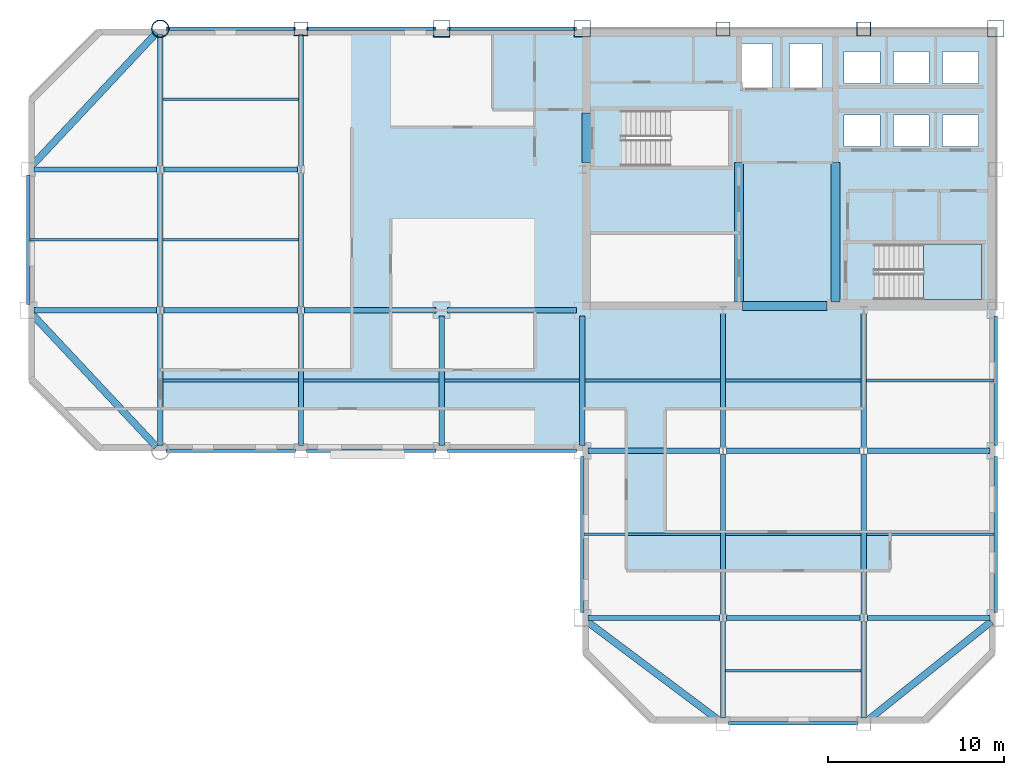
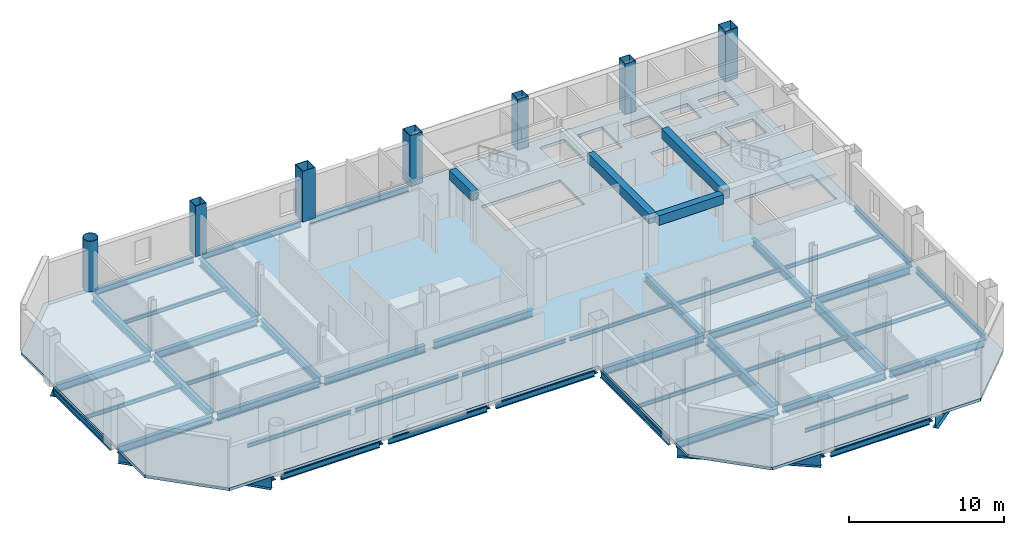
# One storey, part 3 of 10: 58 beams, 7 columns, 2 slabs, 1 element without a shape of its own.
"""IFC4 building model written with IfcOpenShell, lengths in metres."""

from ifc_helpers import new_model, si_unit, direction, frame, origin, origin_2d, place, context, subcontext, project, spatial, polyline, rectangle, hollow_rectangle, hollow_circle, i_section, outline, extrude, material, layer, layer_set, material_profile, profile_set, type_object, element, aggregate, save


model = new_model("IFC4")

# Units and contexts
model_context = context("Model", 3, precision=1e-05, world=origin(), true_north=direction((0.0, 1.0)))
body_context = subcontext(model_context, "Body", "Model", "MODEL_VIEW")
ifc_project = project(units=[si_unit("LENGTHUNIT", "METRE"), si_unit("AREAUNIT", "SQUARE_METRE"), si_unit("VOLUMEUNIT", "CUBIC_METRE"), si_unit("PLANEANGLEUNIT", "RADIAN"), si_unit("MASSUNIT", "GRAM", prefix="KILO")], contexts=[model_context])

# Site, building, storey
site_placement = place(None, origin())
site = spatial("IfcSite", under=ifc_project, at=site_placement, CompositionType="ELEMENT")
building_placement = place(site_placement, origin())
building = spatial("IfcBuilding", under=site, at=building_placement, Name="Qianrong Seaharbour Tower", CompositionType="ELEMENT")
storey_placement = place(building_placement, frame((0.0, 0.0, 225.800048828125)))
storey = spatial("IfcBuildingStorey", under=building, at=storey_placement, Name="L54", CompositionType="ELEMENT", Elevation=225.800048828125)

# Columns
ifc_material_1 = material(Name="Structural steel SN490B", Category="steel")
ifc_material_profile_1 = material_profile(ifc_material_1, hollow_rectangle(XDim=0.949951171875, YDim=0.949951171875, WallThickness=0.035888671875, at=origin_2d()), Name="BOX950x950x36")
ifc_profile_set_1 = profile_set([ifc_material_profile_1], Name="Structural steel SN490B")
column_type_1 = type_object("IfcColumnType", Name="COL-CFT-950", PredefinedType="COLUMN", material=ifc_profile_set_1)
for number, where, z_axis, x_axis, name in (
    (1, (32.5, 52.0, 0.0), (0.0, 0.0, 1.0), (1.0, 0.0, 0.0), "L54 Column MC-4 at G5/GH"),
    (2, (40.5, 52.0, 0.0), (0.0, 0.0, 1.0), (1.0, 0.0, 0.0), "L54 Column MC-4 at G6/GH"),
    (3, (64.0, 52.0, 0.0), (0.0, 0.0, 1.0), (1.0, 0.0, 0.0), "L54 Column MC-4 at G9/GH"),
):
    element("IfcColumn", number, at=place(storey_placement, frame(where, z_axis=z_axis, x_axis=x_axis)), inside=storey, type_object=column_type_1, Name=name, PredefinedType="COLUMN", context=body_context, shape_type="SweptSolid", body=[
        extrude(hollow_rectangle(XDim=0.949951171875, YDim=0.949951171875, WallThickness=0.035888671875, at=origin_2d()), origin(), (0.0, 0.0, 1.0), 4.0),
    ])
ifc_material_profile_2 = material_profile(ifc_material_1, hollow_circle(Radius=0.5, WallThickness=0.035888671875, at=origin_2d()), Name="CHS1000x36")
ifc_profile_set_2 = profile_set([ifc_material_profile_2], Name="Structural steel SN490B")
column_type_2 = type_object("IfcColumnType", Name="COL-CHS-1000", PredefinedType="COLUMN", material=ifc_profile_set_2)
column_placement = place(storey_placement, frame((16.5, 52.0, 0.0), z_axis=(0.0, 0.0, 1.0), x_axis=(1.0, 0.0, 0.0)))
element("IfcColumn", 4, at=column_placement, inside=storey, type_object=column_type_2, Name="L54 Column CC-2 at G3/GH", PredefinedType="COLUMN", context=body_context, shape_type="SweptSolid", body=[
    extrude(hollow_circle(Radius=0.5, WallThickness=0.035888671875, at=origin_2d()), origin(), (0.0, 0.0, 1.0), 4.0),
])
ifc_material_profile_3 = material_profile(ifc_material_1, hollow_rectangle(XDim=0.800048828125, YDim=0.800048828125, WallThickness=0.031982421875, at=origin_2d()), Name="BOX800x800x32")
ifc_profile_set_3 = profile_set([ifc_material_profile_3], Name="Structural steel SN490B")
column_type_3 = type_object("IfcColumnType", Name="COL-PER-800", PredefinedType="COLUMN", material=ifc_profile_set_3)
for number, where, z_axis, x_axis, name in (
    (5, (24.5, 52.0, 0.0), (0.0, 0.0, 1.0), (1.0, 0.0, 0.0), "L54 Column PC-3 at G4/GH"),
    (6, (48.5, 52.0, 0.0), (0.0, 0.0, 1.0), (1.0, 0.0, 0.0), "L54 Column PC-3 at G7/GH"),
    (7, (56.5, 52.0, 0.0), (0.0, 0.0, 1.0), (1.0, 0.0, 0.0), "L54 Column PC-3 at G8/GH"),
):
    element("IfcColumn", number, at=place(storey_placement, frame(where, z_axis=z_axis, x_axis=x_axis)), inside=storey, type_object=column_type_3, Name=name, PredefinedType="COLUMN", context=body_context, shape_type="SweptSolid", body=[
        extrude(hollow_rectangle(XDim=0.800048828125, YDim=0.800048828125, WallThickness=0.031982421875, at=origin_2d()), origin(), (0.0, 0.0, 1.0), 4.0),
    ])

# Beams
ifc_material_profile_4 = material_profile(ifc_material_1, i_section(OverallWidth=0.300048828125, OverallDepth=0.587890625, WebThickness=0.011962890625, FlangeThickness=0.02001953125, FilletRadius=0.02392578125, at=origin_2d()), Name="H588x300x12x20")
ifc_profile_set_4 = profile_set([ifc_material_profile_4], Name="Structural steel SN490B")
beam_type_1 = type_object("IfcBeamType", Name="BM-G-588", PredefinedType="BEAM", material=ifc_profile_set_4)
beam_1_placement = place(storey_placement, frame((40.820068359375, 18.5, -0.51904296875), z_axis=(1.0, 0.0, 0.0), x_axis=(0.0, 1.0, 0.0)))
element("IfcBeam", 8, at=beam_1_placement, inside=storey, type_object=beam_type_1, Name="L54 Primary Girder GD G6-G7", PredefinedType="BEAM", context=body_context, shape_type="SweptSolid", body=[
    extrude(i_section(OverallWidth=0.300048828125, OverallDepth=0.587890625, WebThickness=0.011962890625, FlangeThickness=0.02001953125, FilletRadius=0.02392578125, at=origin_2d()), origin(), (0.0, 0.0, 1.0), 7.47998046875),
])
beam_2_placement = place(storey_placement, frame((48.699951171875, 18.5, -0.51904296875), z_axis=(1.0, 0.0, 0.0), x_axis=(0.0, 1.0, 0.0)))
element("IfcBeam", 9, at=beam_2_placement, inside=storey, type_object=beam_type_1, Name="L54 Primary Girder GD G7-G8", PredefinedType="BEAM", context=body_context, shape_type="SweptSolid", body=[
    extrude(i_section(OverallWidth=0.300048828125, OverallDepth=0.587890625, WebThickness=0.011962890625, FlangeThickness=0.02001953125, FilletRadius=0.02392578125, at=origin_2d()), origin(), (0.0, 0.0, 1.0), 7.60009765625),
])
beam_3_placement = place(storey_placement, frame((56.699951171875, 18.5, -0.51904296875), z_axis=(1.0, 0.0, 0.0), x_axis=(0.0, 1.0, 0.0)))
element("IfcBeam", 10, at=beam_3_placement, inside=storey, type_object=beam_type_1, Name="L54 Primary Girder GD G8-G9", PredefinedType="BEAM", context=body_context, shape_type="SweptSolid", body=[
    extrude(i_section(OverallWidth=0.300048828125, OverallDepth=0.587890625, WebThickness=0.011962890625, FlangeThickness=0.02001953125, FilletRadius=0.02392578125, at=origin_2d()), origin(), (0.0, 0.0, 1.0), 6.97998046875),
])
beam_4_placement = place(storey_placement, frame((40.820068359375, 28.0, -0.51904296875), z_axis=(1.0, 0.0, 0.0), x_axis=(0.0, 1.0, 0.0)))
element("IfcBeam", 11, at=beam_4_placement, inside=storey, type_object=beam_type_1, Name="L54 Primary Girder GE G6-G7", PredefinedType="BEAM", context=body_context, shape_type="SweptSolid", body=[
    extrude(i_section(OverallWidth=0.300048828125, OverallDepth=0.587890625, WebThickness=0.011962890625, FlangeThickness=0.02001953125, FilletRadius=0.02392578125, at=origin_2d()), origin(), (0.0, 0.0, 1.0), 7.47998046875),
])
beam_5_placement = place(storey_placement, frame((48.699951171875, 28.0, -0.51904296875), z_axis=(1.0, 0.0, 0.0), x_axis=(0.0, 1.0, 0.0)))
element("IfcBeam", 12, at=beam_5_placement, inside=storey, type_object=beam_type_1, Name="L54 Primary Girder GE G7-G8", PredefinedType="BEAM", context=body_context, shape_type="SweptSolid", body=[
    extrude(i_section(OverallWidth=0.300048828125, OverallDepth=0.587890625, WebThickness=0.011962890625, FlangeThickness=0.02001953125, FilletRadius=0.02392578125, at=origin_2d()), origin(), (0.0, 0.0, 1.0), 7.60009765625),
])
for number, where, z_axis, x_axis, name in (
    (13, (56.699951171875, 28.0, -0.51904296875), (1.0, 0.0, 0.0), (0.0, 1.0, 0.0), "L54 Primary Girder GE G8-G9"),
    (14, (9.320068359375, 36.0, -0.51904296875), (1.0, 0.0, 0.0), (0.0, 1.0, 0.0), "L54 Primary Girder GF G2-G3"),
):
    element("IfcBeam", number, at=place(storey_placement, frame(where, z_axis=z_axis, x_axis=x_axis)), inside=storey, type_object=beam_type_1, Name=name, PredefinedType="BEAM", context=body_context, shape_type="SweptSolid", body=[
        extrude(i_section(OverallWidth=0.300048828125, OverallDepth=0.587890625, WebThickness=0.011962890625, FlangeThickness=0.02001953125, FilletRadius=0.02392578125, at=origin_2d()), origin(), (0.0, 0.0, 1.0), 6.97998046875),
    ])
beam_6_placement = place(storey_placement, frame((16.699951171875, 36.0, -0.51904296875), z_axis=(1.0, 0.0, 0.0), x_axis=(0.0, 1.0, 0.0)))
element("IfcBeam", 15, at=beam_6_placement, inside=storey, type_object=beam_type_1, Name="L54 Primary Girder GF G3-G4", PredefinedType="BEAM", context=body_context, shape_type="SweptSolid", body=[
    extrude(i_section(OverallWidth=0.300048828125, OverallDepth=0.587890625, WebThickness=0.011962890625, FlangeThickness=0.02001953125, FilletRadius=0.02392578125, at=origin_2d()), origin(), (0.0, 0.0, 1.0), 7.60009765625),
])
beam_7_placement = place(storey_placement, frame((24.699951171875, 36.0, -0.51904296875), z_axis=(1.0, 0.0, 0.0), x_axis=(0.0, 1.0, 0.0)))
element("IfcBeam", 16, at=beam_7_placement, inside=storey, type_object=beam_type_1, Name="L54 Primary Girder GF G4-G5", PredefinedType="BEAM", context=body_context, shape_type="SweptSolid", body=[
    extrude(i_section(OverallWidth=0.300048828125, OverallDepth=0.587890625, WebThickness=0.011962890625, FlangeThickness=0.02001953125, FilletRadius=0.02392578125, at=origin_2d()), origin(), (0.0, 0.0, 1.0), 7.47998046875),
])
beam_8_placement = place(storey_placement, frame((32.820068359375, 36.0, -0.51904296875), z_axis=(1.0, 0.0, 0.0), x_axis=(0.0, 1.0, 0.0)))
element("IfcBeam", 17, at=beam_8_placement, inside=storey, type_object=beam_type_1, Name="L54 Primary Girder GF G5-G6", PredefinedType="BEAM", context=body_context, shape_type="SweptSolid", body=[
    extrude(i_section(OverallWidth=0.300048828125, OverallDepth=0.587890625, WebThickness=0.011962890625, FlangeThickness=0.02001953125, FilletRadius=0.02392578125, at=origin_2d()), origin(), (0.0, 0.0, 1.0), 7.35986328125),
])
beam_9_placement = place(storey_placement, frame((9.320068359375, 44.0, -0.51904296875), z_axis=(1.0, 0.0, 0.0), x_axis=(0.0, 1.0, 0.0)))
element("IfcBeam", 18, at=beam_9_placement, inside=storey, type_object=beam_type_1, Name="L54 Primary Girder GG G2-G3", PredefinedType="BEAM", context=body_context, shape_type="SweptSolid", body=[
    extrude(i_section(OverallWidth=0.300048828125, OverallDepth=0.587890625, WebThickness=0.011962890625, FlangeThickness=0.02001953125, FilletRadius=0.02392578125, at=origin_2d()), origin(), (0.0, 0.0, 1.0), 6.97998046875),
])
beam_10_placement = place(storey_placement, frame((16.699951171875, 44.0, -0.51904296875), z_axis=(1.0, 0.0, 0.0), x_axis=(0.0, 1.0, 0.0)))
element("IfcBeam", 19, at=beam_10_placement, inside=storey, type_object=beam_type_1, Name="L54 Primary Girder GG G3-G4", PredefinedType="BEAM", context=body_context, shape_type="SweptSolid", body=[
    extrude(i_section(OverallWidth=0.300048828125, OverallDepth=0.587890625, WebThickness=0.011962890625, FlangeThickness=0.02001953125, FilletRadius=0.02392578125, at=origin_2d()), origin(), (0.0, 0.0, 1.0), 7.60009765625),
])
beam_11_placement = place(storey_placement, frame((16.5, 28.320068359375, -0.51904296875), z_axis=(0.0, 1.0, 0.0), x_axis=(-1.0, 0.0, 0.0)))
element("IfcBeam", 20, at=beam_11_placement, inside=storey, type_object=beam_type_1, Name="L54 Primary Girder G3 GE-GF", PredefinedType="BEAM", context=body_context, shape_type="SweptSolid", body=[
    extrude(i_section(OverallWidth=0.300048828125, OverallDepth=0.587890625, WebThickness=0.011962890625, FlangeThickness=0.02001953125, FilletRadius=0.02392578125, at=origin_2d()), origin(), (0.0, 0.0, 1.0), 7.47998046875),
])
beam_12_placement = place(storey_placement, frame((16.5, 36.199951171875, -0.51904296875), z_axis=(0.0, 1.0, 0.0), x_axis=(-1.0, 0.0, 0.0)))
element("IfcBeam", 21, at=beam_12_placement, inside=storey, type_object=beam_type_1, Name="L54 Primary Girder G3 GF-GG", PredefinedType="BEAM", context=body_context, shape_type="SweptSolid", body=[
    extrude(i_section(OverallWidth=0.300048828125, OverallDepth=0.587890625, WebThickness=0.011962890625, FlangeThickness=0.02001953125, FilletRadius=0.02392578125, at=origin_2d()), origin(), (0.0, 0.0, 1.0), 7.60009765625),
])
for number, where, z_axis, x_axis, name in (
    (22, (16.5, 44.199951171875, -0.51904296875), (0.0, 1.0, 0.0), (-1.0, 0.0, 0.0), "L54 Primary Girder G3 GG-GH"),
    (23, (24.5, 28.320068359375, -0.51904296875), (0.0, 1.0, 0.0), (-1.0, 0.0, 0.0), "L54 Primary Girder G4 GE-GF"),
):
    element("IfcBeam", number, at=place(storey_placement, frame(where, z_axis=z_axis, x_axis=x_axis)), inside=storey, type_object=beam_type_1, Name=name, PredefinedType="BEAM", context=body_context, shape_type="SweptSolid", body=[
        extrude(i_section(OverallWidth=0.300048828125, OverallDepth=0.587890625, WebThickness=0.011962890625, FlangeThickness=0.02001953125, FilletRadius=0.02392578125, at=origin_2d()), origin(), (0.0, 0.0, 1.0), 7.47998046875),
    ])
beam_13_placement = place(storey_placement, frame((24.5, 36.199951171875, -0.51904296875), z_axis=(0.0, 1.0, 0.0), x_axis=(-1.0, 0.0, 0.0)))
element("IfcBeam", 24, at=beam_13_placement, inside=storey, type_object=beam_type_1, Name="L54 Primary Girder G4 GF-GG", PredefinedType="BEAM", context=body_context, shape_type="SweptSolid", body=[
    extrude(i_section(OverallWidth=0.300048828125, OverallDepth=0.587890625, WebThickness=0.011962890625, FlangeThickness=0.02001953125, FilletRadius=0.02392578125, at=origin_2d()), origin(), (0.0, 0.0, 1.0), 7.60009765625),
])
beam_14_placement = place(storey_placement, frame((24.5, 44.199951171875, -0.51904296875), z_axis=(0.0, 1.0, 0.0), x_axis=(-1.0, 0.0, 0.0)))
element("IfcBeam", 25, at=beam_14_placement, inside=storey, type_object=beam_type_1, Name="L54 Primary Girder G4 GG-GH", PredefinedType="BEAM", context=body_context, shape_type="SweptSolid", body=[
    extrude(i_section(OverallWidth=0.300048828125, OverallDepth=0.587890625, WebThickness=0.011962890625, FlangeThickness=0.02001953125, FilletRadius=0.02392578125, at=origin_2d()), origin(), (0.0, 0.0, 1.0), 7.47998046875),
])
for number, where, z_axis, x_axis, name in (
    (26, (32.5, 28.320068359375, -0.51904296875), (0.0, 1.0, 0.0), (-1.0, 0.0, 0.0), "L54 Primary Girder G5 GE-GF"),
    (27, (40.5, 28.320068359375, -0.51904296875), (0.0, 1.0, 0.0), (-1.0, 0.0, 0.0), "L54 Primary Girder G6 GE-GF"),
):
    element("IfcBeam", number, at=place(storey_placement, frame(where, z_axis=z_axis, x_axis=x_axis)), inside=storey, type_object=beam_type_1, Name=name, PredefinedType="BEAM", context=body_context, shape_type="SweptSolid", body=[
        extrude(i_section(OverallWidth=0.300048828125, OverallDepth=0.587890625, WebThickness=0.011962890625, FlangeThickness=0.02001953125, FilletRadius=0.02392578125, at=origin_2d()), origin(), (0.0, 0.0, 1.0), 7.35986328125),
    ])
beam_15_placement = place(storey_placement, frame((48.5, 12.820068359375, -0.51904296875), z_axis=(0.0, 1.0, 0.0), x_axis=(-1.0, 0.0, 0.0)))
element("IfcBeam", 28, at=beam_15_placement, inside=storey, type_object=beam_type_1, Name="L54 Primary Girder G7 GC-GD", PredefinedType="BEAM", context=body_context, shape_type="SweptSolid", body=[
    extrude(i_section(OverallWidth=0.300048828125, OverallDepth=0.587890625, WebThickness=0.011962890625, FlangeThickness=0.02001953125, FilletRadius=0.02392578125, at=origin_2d()), origin(), (0.0, 0.0, 1.0), 5.47998046875),
])
beam_16_placement = place(storey_placement, frame((48.5, 28.199951171875, -0.51904296875), z_axis=(0.0, 1.0, 0.0), x_axis=(-1.0, 0.0, 0.0)))
element("IfcBeam", 29, at=beam_16_placement, inside=storey, type_object=beam_type_1, Name="L54 Primary Girder G7 GE-GF", PredefinedType="BEAM", context=body_context, shape_type="SweptSolid", body=[
    extrude(i_section(OverallWidth=0.300048828125, OverallDepth=0.587890625, WebThickness=0.011962890625, FlangeThickness=0.02001953125, FilletRadius=0.02392578125, at=origin_2d()), origin(), (0.0, 0.0, 1.0), 7.60009765625),
])
beam_17_placement = place(storey_placement, frame((56.5, 12.820068359375, -0.51904296875), z_axis=(0.0, 1.0, 0.0), x_axis=(-1.0, 0.0, 0.0)))
element("IfcBeam", 30, at=beam_17_placement, inside=storey, type_object=beam_type_1, Name="L54 Primary Girder G8 GC-GD", PredefinedType="BEAM", context=body_context, shape_type="SweptSolid", body=[
    extrude(i_section(OverallWidth=0.300048828125, OverallDepth=0.587890625, WebThickness=0.011962890625, FlangeThickness=0.02001953125, FilletRadius=0.02392578125, at=origin_2d()), origin(), (0.0, 0.0, 1.0), 5.47998046875),
])
beam_18_placement = place(storey_placement, frame((56.5, 28.199951171875, -0.51904296875), z_axis=(0.0, 1.0, 0.0), x_axis=(-1.0, 0.0, 0.0)))
element("IfcBeam", 31, at=beam_18_placement, inside=storey, type_object=beam_type_1, Name="L54 Primary Girder G8 GE-GF", PredefinedType="BEAM", context=body_context, shape_type="SweptSolid", body=[
    extrude(i_section(OverallWidth=0.300048828125, OverallDepth=0.587890625, WebThickness=0.011962890625, FlangeThickness=0.02001953125, FilletRadius=0.02392578125, at=origin_2d()), origin(), (0.0, 0.0, 1.0), 7.60009765625),
])
ifc_material_profile_5 = material_profile(ifc_material_1, i_section(OverallWidth=0.300048828125, OverallDepth=0.800048828125, WebThickness=0.013916015625, FlangeThickness=0.02587890625, FilletRadius=0.028076171875, at=origin_2d()), Name="H800x300x14x26")
ifc_profile_set_5 = profile_set([ifc_material_profile_5], Name="Structural steel SN490B")
beam_type_2 = type_object("IfcBeamType", Name="BM-G-800", PredefinedType="BEAM", material=ifc_profile_set_5)
for number, where, z_axis, x_axis, name in (
    (32, (48.5, 18.699951171875, -0.625), (0.0, 1.0, 0.0), (-1.0, 0.0, 0.0), "L54 Primary Girder G7 GD-GE"),
    (33, (56.5, 18.699951171875, -0.625), (0.0, 1.0, 0.0), (-1.0, 0.0, 0.0), "L54 Primary Girder G8 GD-GE"),
):
    element("IfcBeam", number, at=place(storey_placement, frame(where, z_axis=z_axis, x_axis=x_axis)), inside=storey, type_object=beam_type_2, Name=name, PredefinedType="BEAM", context=body_context, shape_type="SweptSolid", body=[
        extrude(i_section(OverallWidth=0.300048828125, OverallDepth=0.800048828125, WebThickness=0.013916015625, FlangeThickness=0.02587890625, FilletRadius=0.028076171875, at=origin_2d()), origin(), (0.0, 0.0, 1.0), 9.10009765625),
    ])
ifc_material_2 = material(Name="Structural steel SN400B", Category="steel")
ifc_material_profile_6 = material_profile(ifc_material_2, i_section(OverallWidth=0.14990234375, OverallDepth=0.300048828125, WebThickness=0.006591796875, FlangeThickness=0.009033203125, FilletRadius=0.012939453125, at=origin_2d()), Name="H300x150x6.5x9")
ifc_profile_set_6 = profile_set([ifc_material_profile_6], Name="Structural steel SN400B")
beam_type_3 = type_object("IfcBeamType", Name="BM-J-300", PredefinedType="JOIST", material=ifc_profile_set_6)
beam_19_placement = place(storey_placement, frame((9.10009765625, 40.0, -0.375), z_axis=(1.0, 0.0, 0.0), x_axis=(0.0, 1.0, 0.0)))
element("IfcBeam", 34, at=beam_19_placement, inside=storey, type_object=beam_type_3, Name="L54 Composite Floor Joist G2-G3/GF-GG", PredefinedType="JOIST", context=body_context, shape_type="SweptSolid", body=[
    extrude(i_section(OverallWidth=0.14990234375, OverallDepth=0.300048828125, WebThickness=0.006591796875, FlangeThickness=0.009033203125, FilletRadius=0.012939453125, at=origin_2d()), origin(), (0.0, 0.0, 1.0), 7.25),
])
for number, where, z_axis, x_axis, name in (
    (35, (16.64990234375, 32.0, -0.375), (1.0, 0.0, 0.0), (0.0, 1.0, 0.0), "L54 Composite Floor Joist G3-G4/GE-GF"),
    (36, (16.64990234375, 40.0, -0.375), (1.0, 0.0, 0.0), (0.0, 1.0, 0.0), "L54 Composite Floor Joist G3-G4/GF-GG"),
    (37, (16.64990234375, 48.0, -0.375), (1.0, 0.0, 0.0), (0.0, 1.0, 0.0), "L54 Composite Floor Joist G3-G4/GG-GH"),
    (38, (24.64990234375, 32.0, -0.375), (1.0, 0.0, 0.0), (0.0, 1.0, 0.0), "L54 Composite Floor Joist G4-G5/GE-GF"),
    (39, (32.64990234375, 32.0, -0.375), (1.0, 0.0, 0.0), (0.0, 1.0, 0.0), "L54 Composite Floor Joist G5-G6/GE-GF"),
):
    element("IfcBeam", number, at=place(storey_placement, frame(where, z_axis=z_axis, x_axis=x_axis)), inside=storey, type_object=beam_type_3, Name=name, PredefinedType="JOIST", context=body_context, shape_type="SweptSolid", body=[
        extrude(i_section(OverallWidth=0.14990234375, OverallDepth=0.300048828125, WebThickness=0.006591796875, FlangeThickness=0.009033203125, FilletRadius=0.012939453125, at=origin_2d()), origin(), (0.0, 0.0, 1.0), 7.7001953125),
    ])
beam_20_placement = place(storey_placement, frame((40.60009765625, 23.25, -0.375), z_axis=(1.0, 0.0, 0.0), x_axis=(0.0, 1.0, 0.0)))
element("IfcBeam", 40, at=beam_20_placement, inside=storey, type_object=beam_type_3, Name="L54 Composite Floor Joist G6-G7/GD-GE", PredefinedType="JOIST", context=body_context, shape_type="SweptSolid", body=[
    extrude(i_section(OverallWidth=0.14990234375, OverallDepth=0.300048828125, WebThickness=0.006591796875, FlangeThickness=0.009033203125, FilletRadius=0.012939453125, at=origin_2d()), origin(), (0.0, 0.0, 1.0), 7.75),
])
for number, where, z_axis, x_axis, name in (
    (41, (40.64990234375, 32.0, -0.375), (1.0, 0.0, 0.0), (0.0, 1.0, 0.0), "L54 Composite Floor Joist G6-G7/GE-GF"),
    (42, (48.64990234375, 15.5, -0.375), (1.0, 0.0, 0.0), (0.0, 1.0, 0.0), "L54 Composite Floor Joist G7-G8/GC-GD"),
    (43, (48.64990234375, 23.25, -0.375), (1.0, 0.0, 0.0), (0.0, 1.0, 0.0), "L54 Composite Floor Joist G7-G8/GD-GE"),
    (44, (48.64990234375, 32.0, -0.375), (1.0, 0.0, 0.0), (0.0, 1.0, 0.0), "L54 Composite Floor Joist G7-G8/GE-GF"),
):
    element("IfcBeam", number, at=place(storey_placement, frame(where, z_axis=z_axis, x_axis=x_axis)), inside=storey, type_object=beam_type_3, Name=name, PredefinedType="JOIST", context=body_context, shape_type="SweptSolid", body=[
        extrude(i_section(OverallWidth=0.14990234375, OverallDepth=0.300048828125, WebThickness=0.006591796875, FlangeThickness=0.009033203125, FilletRadius=0.012939453125, at=origin_2d()), origin(), (0.0, 0.0, 1.0), 7.7001953125),
    ])
for number, where, z_axis, x_axis, name in (
    (45, (56.64990234375, 23.25, -0.375), (1.0, 0.0, 0.0), (0.0, 1.0, 0.0), "L54 Composite Floor Joist G8-G9/GD-GE"),
    (46, (56.64990234375, 32.0, -0.375), (1.0, 0.0, 0.0), (0.0, 1.0, 0.0), "L54 Composite Floor Joist G8-G9/GE-GF"),
):
    element("IfcBeam", number, at=place(storey_placement, frame(where, z_axis=z_axis, x_axis=x_axis)), inside=storey, type_object=beam_type_3, Name=name, PredefinedType="JOIST", context=body_context, shape_type="SweptSolid", body=[
        extrude(i_section(OverallWidth=0.14990234375, OverallDepth=0.300048828125, WebThickness=0.006591796875, FlangeThickness=0.009033203125, FilletRadius=0.012939453125, at=origin_2d()), origin(), (0.0, 0.0, 1.0), 7.25),
    ])
ifc_material_3 = material(Name="Concrete C60/75", Category="concrete")
ifc_material_profile_7 = material_profile(ifc_material_3, rectangle(XDim=0.5, YDim=0.75, at=origin_2d()), Name="RC500x750")
ifc_profile_set_7 = profile_set([ifc_material_profile_7], Name="Concrete C60/75")
beam_type_4 = type_object("IfcBeamType", Name="BM-LINTEL-750", PredefinedType="LINTEL", material=ifc_profile_set_7)
beam_21_placement = place(storey_placement, frame((40.72998046875, 44.39990234375, 3.39990234375), z_axis=(0.0, 1.0, 0.0), x_axis=(-1.0, 0.0, 0.0)))
element("IfcBeam", 47, at=beam_21_placement, inside=storey, type_object=beam_type_4, Name="L54 Core Coupling Lintel Beam West", PredefinedType="LINTEL", context=body_context, shape_type="SweptSolid", body=[
    extrude(rectangle(XDim=0.5, YDim=0.75, at=origin_2d()), origin(), (0.0, 0.0, 1.0), 2.800048828125),
])
beam_22_placement = place(storey_placement, frame((49.60009765625, 36.22998046875, 3.39990234375), z_axis=(1.0, 0.0, 0.0), x_axis=(0.0, 1.0, 0.0)))
element("IfcBeam", 48, at=beam_22_placement, inside=storey, type_object=beam_type_4, Name="L54 Core Coupling Lintel Beam CBC", PredefinedType="LINTEL", context=body_context, shape_type="SweptSolid", body=[
    extrude(rectangle(XDim=0.5, YDim=0.75, at=origin_2d()), origin(), (0.0, 0.0, 1.0), 4.7998046875),
])
for number, where, z_axis, x_axis, name in (
    (49, (49.39990234375, 36.4599609375, 3.39990234375), (0.0, 1.0, 0.0), (-1.0, 0.0, 0.0), "L54 Internal Core Coupling Beam IW1"),
    (50, (54.89990234375, 36.4599609375, 3.39990234375), (0.0, 1.0, 0.0), (-1.0, 0.0, 0.0), "L54 Internal Core Coupling Beam IW2"),
):
    element("IfcBeam", number, at=place(storey_placement, frame(where, z_axis=z_axis, x_axis=x_axis)), inside=storey, type_object=beam_type_4, Name=name, PredefinedType="LINTEL", context=body_context, shape_type="SweptSolid", body=[
        extrude(rectangle(XDim=0.5, YDim=0.75, at=origin_2d()), origin(), (0.0, 0.0, 1.0), 7.93994140625),
    ])
ifc_material_profile_8 = material_profile(ifc_material_2, i_section(OverallWidth=0.199951171875, OverallDepth=0.449951171875, WebThickness=0.009033203125, FlangeThickness=0.013916015625, FilletRadius=0.01806640625, at=origin_2d()), Name="H450x200x9x14")
ifc_profile_set_8 = profile_set([ifc_material_profile_8], Name="Structural steel SN400B")
beam_type_5 = type_object("IfcBeamType", Name="BM-SP-450", PredefinedType="SPANDREL", material=ifc_profile_set_8)
for number, where, z_axis, x_axis, name in (
    (51, (48.820068359375, 12.5, -0.449951171875), (1.0, 0.0, 0.0), (0.0, 1.0, 0.0), "L54 Spandrel Girder GC G7-G8"),
    (52, (16.820068359375, 28.0, -0.449951171875), (1.0, 0.0, 0.0), (0.0, 1.0, 0.0), "L54 Spandrel Girder GE G3-G4"),
    (53, (24.820068359375, 28.0, -0.449951171875), (1.0, 0.0, 0.0), (0.0, 1.0, 0.0), "L54 Spandrel Girder GE G4-G5"),
    (54, (32.820068359375, 28.0, -0.449951171875), (1.0, 0.0, 0.0), (0.0, 1.0, 0.0), "L54 Spandrel Girder GE G5-G6"),
    (55, (16.820068359375, 52.0, -0.449951171875), (1.0, 0.0, 0.0), (0.0, 1.0, 0.0), "L54 Spandrel Girder GH G3-G4"),
    (56, (24.820068359375, 52.0, -0.449951171875), (1.0, 0.0, 0.0), (0.0, 1.0, 0.0), "L54 Spandrel Girder GH G4-G5"),
    (57, (32.820068359375, 52.0, -0.449951171875), (1.0, 0.0, 0.0), (0.0, 1.0, 0.0), "L54 Spandrel Girder GH G5-G6"),
    (58, (9.0, 36.320068359375, -0.449951171875), (0.0, 1.0, 0.0), (-1.0, 0.0, 0.0), "L54 Spandrel Girder G2 GF-GG"),
):
    element("IfcBeam", number, at=place(storey_placement, frame(where, z_axis=z_axis, x_axis=x_axis)), inside=storey, type_object=beam_type_5, Name=name, PredefinedType="SPANDREL", context=body_context, shape_type="SweptSolid", body=[
        extrude(i_section(OverallWidth=0.199951171875, OverallDepth=0.449951171875, WebThickness=0.009033203125, FlangeThickness=0.013916015625, FilletRadius=0.01806640625, at=origin_2d()), origin(), (0.0, 0.0, 1.0), 7.35986328125),
    ])
for number, where, z_axis, x_axis, name in (
    (59, (40.5, 18.820068359375, -0.449951171875), (0.0, 1.0, 0.0), (-1.0, 0.0, 0.0), "L54 Spandrel Girder G6 GD-GE"),
    (60, (64.0, 18.820068359375, -0.449951171875), (0.0, 1.0, 0.0), (-1.0, 0.0, 0.0), "L54 Spandrel Girder G9 GD-GE"),
):
    element("IfcBeam", number, at=place(storey_placement, frame(where, z_axis=z_axis, x_axis=x_axis)), inside=storey, type_object=beam_type_5, Name=name, PredefinedType="SPANDREL", context=body_context, shape_type="SweptSolid", body=[
        extrude(i_section(OverallWidth=0.199951171875, OverallDepth=0.449951171875, WebThickness=0.009033203125, FlangeThickness=0.013916015625, FilletRadius=0.01806640625, at=origin_2d()), origin(), (0.0, 0.0, 1.0), 8.85986328125),
    ])
beam_23_placement = place(storey_placement, frame((64.0, 28.320068359375, -0.449951171875), z_axis=(0.0, 1.0, 0.0), x_axis=(-1.0, 0.0, 0.0)))
element("IfcBeam", 61, at=beam_23_placement, inside=storey, type_object=beam_type_5, Name="L54 Spandrel Girder G9 GE-GF", PredefinedType="SPANDREL", context=body_context, shape_type="SweptSolid", body=[
    extrude(i_section(OverallWidth=0.199951171875, OverallDepth=0.449951171875, WebThickness=0.009033203125, FlangeThickness=0.013916015625, FilletRadius=0.01806640625, at=origin_2d()), origin(), (0.0, 0.0, 1.0), 7.35986328125),
])
ifc_material_profile_9 = material_profile(ifc_material_1, i_section(OverallWidth=0.39990234375, OverallDepth=1.10009765625, WebThickness=0.02001953125, FlangeThickness=0.035888671875, at=origin_2d()), Name="BH1100x400x20x36")
ifc_profile_set_9 = profile_set([ifc_material_profile_9], Name="Structural steel SN490B")
beam_type_6 = type_object("IfcBeamType", Name="BM-TG-1100", PredefinedType="BEAM", material=ifc_profile_set_9)
for number, where, z_axis, x_axis, name in (
    (62, (16.28125, 28.2333984375, -0.775146484375), (-0.683947420573, 0.729531305628, 0.0), (-0.729531305628, -0.683947420573, 0.0), "L54 Chamfer Corner Spandrel Girder G2/GE"),
    (63, (16.28125, 51.7666015625, -0.775146484375), (-0.683947420573, -0.729531305628, 0.0), (0.729531305628, -0.683947420573, 0.0), "L54 Chamfer Corner Spandrel Girder G2/GH"),
):
    element("IfcBeam", number, at=place(storey_placement, frame(where, z_axis=z_axis, x_axis=x_axis)), inside=storey, type_object=beam_type_6, Name=name, PredefinedType="BEAM", context=body_context, shape_type="SweptSolid", body=[
        extrude(i_section(OverallWidth=0.39990234375, OverallDepth=1.10009765625, WebThickness=0.02001953125, FlangeThickness=0.035888671875, at=origin_2d()), origin(), (0.0, 0.0, 1.0), 10.326171875),
    ])
beam_24_placement = place(storey_placement, frame((48.243896484375, 12.69189453125, -0.775146484375), z_axis=(-0.799981219482, 0.600025039875, 0.0), x_axis=(-0.600025039875, -0.799981219482, 0.0)))
element("IfcBeam", 64, at=beam_24_placement, inside=storey, type_object=beam_type_6, Name="L54 Chamfer Corner Spandrel Girder G6/GC", PredefinedType="BEAM", context=body_context, shape_type="SweptSolid", body=[
    extrude(i_section(OverallWidth=0.39990234375, OverallDepth=1.10009765625, WebThickness=0.02001953125, FlangeThickness=0.035888671875, at=origin_2d()), origin(), (0.0, 0.0, 1.0), 9.35986328125),
])
beam_25_placement = place(storey_placement, frame((56.75, 12.699951171875, -0.775146484375), z_axis=(0.780863495394, 0.624701690058, 0.0), x_axis=(-0.624701690058, 0.780863495394, 0.0)))
element("IfcBeam", 65, at=beam_25_placement, inside=storey, type_object=beam_type_6, Name="L54 Chamfer Corner Spandrel Girder G9/GC", PredefinedType="BEAM", context=body_context, shape_type="SweptSolid", body=[
    extrude(i_section(OverallWidth=0.39990234375, OverallDepth=1.10009765625, WebThickness=0.02001953125, FlangeThickness=0.035888671875, at=origin_2d()), origin(), (0.0, 0.0, 1.0), 8.96435546875),
])

# Stair, slab
ifc_material_4 = material(Name="Concrete C50/60", Category="concrete")
stair_type = type_object("IfcStairType", Name="STAIR-DOGLEG-1500-R22", PredefinedType="HALF_TURN_STAIR", material=ifc_material_4)
stair_placement = place(storey_placement, origin())
stair = element("IfcStair", 66, at=stair_placement, inside=storey, type_object=stair_type, Name="L54 Protected Escape Stair ST-2", PredefinedType="HALF_TURN_STAIR")
ifc_layer_1 = layer(ifc_material_4, 0.199951171875)
ifc_layer_set_1 = layer_set([ifc_layer_1], Name="Concrete C50/60")
slab_type_1 = type_object("IfcSlabType", Name="SLAB-STAIR-LANDING-200", PredefinedType="LANDING", material=ifc_layer_set_1)
slab_1_placement = place(storey_placement, frame((0.0, 0.0, 1.800048828125)))
slab_1 = element("IfcSlab", 67, at=slab_1_placement, type_object=slab_type_1, Name="ST-2 landing 1", PredefinedType="LANDING", context=body_context, shape_type="SweptSolid", body=[
    extrude(outline(polyline([(59.89990234375, 36.60009765625), (63.199951171875, 36.60009765625), (63.199951171875, 39.75), (59.89990234375, 39.75), (59.89990234375, 36.60009765625)])), origin(), (0.0, 0.0, 1.0), 0.199951171875),
])
aggregate(stair, [slab_1])

# Slab
ifc_layer_2 = layer(ifc_material_4, 0.22509765625)
ifc_layer_set_2 = layer_set([ifc_layer_2], Name="Concrete C50/60")
slab_type_2 = type_object("IfcSlabType", Name="SLAB-Z3-225", PredefinedType="FLOOR", material=ifc_layer_set_2)
slab_2_placement = place(storey_placement, frame((0.0, 0.0, -0.22509765625)))
element("IfcSlab", 68, at=slab_2_placement, inside=storey, type_object=slab_type_2, Name="L54 Structural Floor Slab", PredefinedType="FLOOR", context=body_context, shape_type="SweptSolid", body=[
    extrude(outline(polyline([(44.5, 12.5), (60.0, 12.5), (64.0, 16.5), (64.0, 52.0), (13.0, 52.0), (9.0, 48.0), (9.0, 32.0), (13.0, 28.0), (40.5, 28.0), (40.5, 16.5), (44.5, 12.5)]), holes=[polyline([(42.93994140625, 44.199951171875), (42.93994140625, 47.35009765625), (48.800048828125, 47.35009765625), (48.800048828125, 44.199951171875), (42.93994140625, 44.199951171875)]), polyline([(57.340087890625, 36.60009765625), (57.340087890625, 39.75), (63.199951171875, 39.75), (63.199951171875, 36.60009765625), (57.340087890625, 36.60009765625)]), polyline([(49.47998046875, 48.530029296875), (49.47998046875, 51.169921875), (51.320068359375, 51.169921875), (51.320068359375, 48.530029296875), (49.47998046875, 48.530029296875)]), polyline([(52.280029296875, 48.530029296875), (52.280029296875, 51.169921875), (54.1201171875, 51.169921875), (54.1201171875, 48.530029296875), (52.280029296875, 48.530029296875)]), polyline([(55.3798828125, 45.300048828125), (55.3798828125, 47.10009765625), (57.419921875, 47.10009765625), (57.419921875, 45.300048828125), (55.3798828125, 45.300048828125)]), polyline([(58.179931640625, 45.300048828125), (58.179931640625, 47.10009765625), (60.219970703125, 47.10009765625), (60.219970703125, 45.300048828125), (58.179931640625, 45.300048828125)]), polyline([(60.97998046875, 45.300048828125), (60.97998046875, 47.10009765625), (63.02001953125, 47.10009765625), (63.02001953125, 45.300048828125), (60.97998046875, 45.300048828125)]), polyline([(55.3798828125, 48.89990234375), (55.3798828125, 50.699951171875), (57.419921875, 50.699951171875), (57.419921875, 48.89990234375), (55.3798828125, 48.89990234375)]), polyline([(58.179931640625, 48.89990234375), (58.179931640625, 50.699951171875), (60.219970703125, 50.699951171875), (60.219970703125, 48.89990234375), (58.179931640625, 48.89990234375)]), polyline([(60.97998046875, 48.89990234375), (60.97998046875, 50.699951171875), (63.02001953125, 50.699951171875), (63.02001953125, 48.89990234375), (60.97998046875, 48.89990234375)])]), origin(), (0.0, 0.0, 1.0), 0.22509765625),
])

save(model, "model.ifc")
